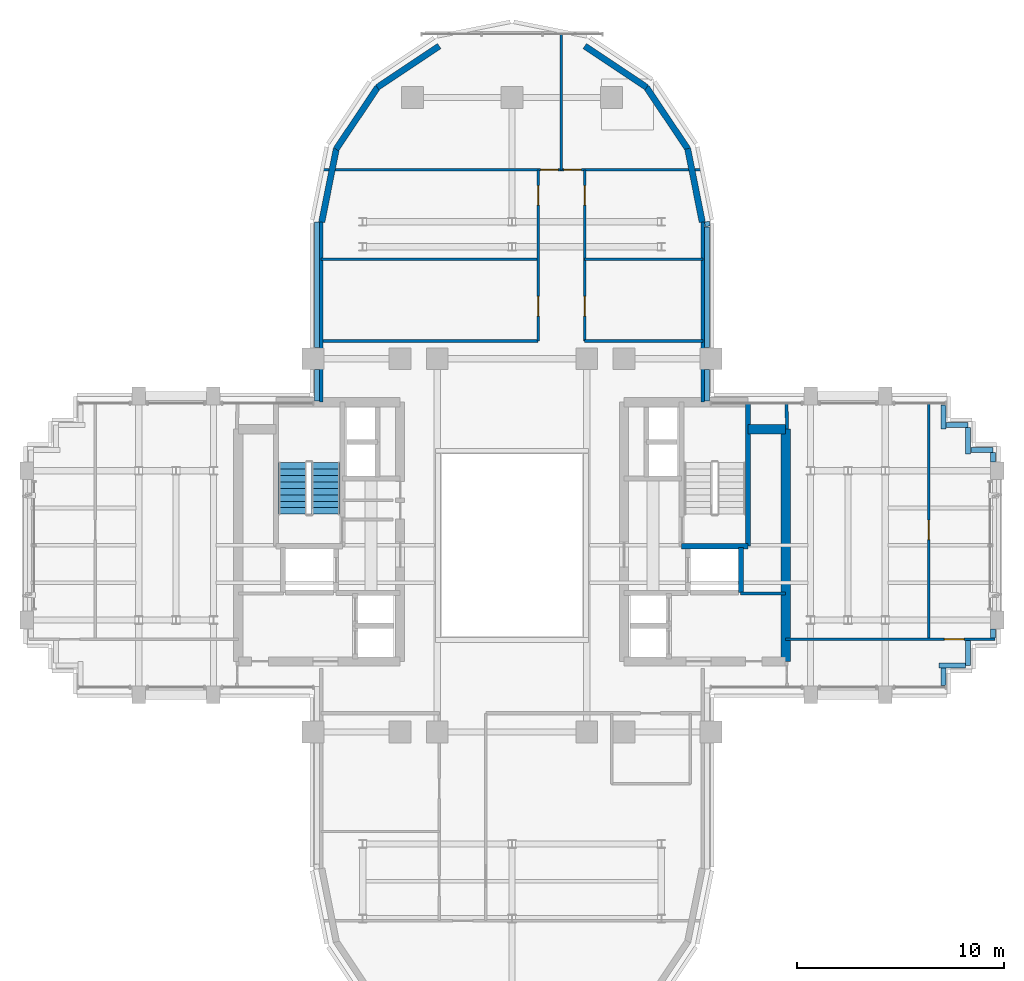
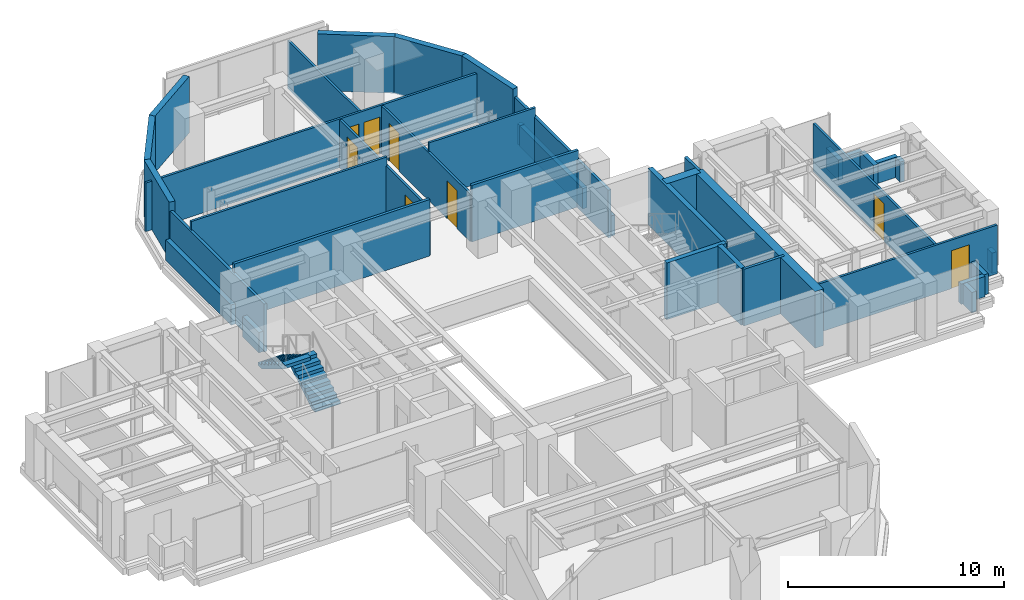
# One storey, part 10 of 14: 39 walls, 8 doors, 2 stair flights, 8 openings, 1 element without a shape of its own.
"""IFC4 building model written with IfcOpenShell, lengths in metres."""

from ifc_helpers import new_model, si_unit, direction, frame, frame_2d, origin, place, context, subcontext, project, spatial, polyline, rectangle, outline, extrude, source, transform, mapped, material, layer, layer_set, type_object, element, fill, aggregate, save


model = new_model("IFC4")

# Units and contexts
model_context = context("Model", 3, precision=1e-05, world=origin(), true_north=direction((0.0, 1.0)))
body_context = subcontext(model_context, "Body", "Model", "MODEL_VIEW")
ifc_project = project(units=[si_unit("LENGTHUNIT", "METRE"), si_unit("AREAUNIT", "SQUARE_METRE"), si_unit("VOLUMEUNIT", "CUBIC_METRE"), si_unit("PLANEANGLEUNIT", "RADIAN"), si_unit("MASSUNIT", "GRAM", prefix="KILO")], contexts=[model_context])

# Site, building, storey
site_placement = place(None, origin())
site = spatial("IfcSite", under=ifc_project, at=site_placement, CompositionType="ELEMENT")
building_placement = place(site_placement, origin())
building = spatial("IfcBuilding", under=site, at=building_placement, Name="Keilestroom Media Tower", CompositionType="ELEMENT")
storey_placement = place(building_placement, frame((0.0, 0.0, 114.199951171875)))
storey = spatial("IfcBuildingStorey", under=building, at=storey_placement, Name="L30", CompositionType="ELEMENT", Elevation=114.199951171875)

# Walls
ifc_material_1 = material(Name="Precast concrete C40/50", Category="concrete")
ifc_layer_1 = layer(ifc_material_1, 0.300048828125)
ifc_layer_set_1 = layer_set([ifc_layer_1], Name="Precast concrete C40/50")
wall_type_1 = type_object("IfcWallType", Name="Exterior-Masonry-Spandrel-Wall-300", PredefinedType="SOLIDWALL", material=ifc_layer_set_1)
for number, where, z_axis, x_axis, name in (
    (1, (9.1748046875, 15.585205078125, 0.0), (0.0, 0.0, 1.0), (-0.195114232679, 0.980780523974, 0.0), "L30 Lobe Facet Precast Frame Wall 01"),
    (2, (8.48193359375, 19.097412109375, 0.0), (0.0, 0.0, 1.0), (-0.555574187116, 0.831466970246, 0.0), "L30 Lobe Facet Precast Frame Wall 02"),
):
    element("IfcWall", number, at=place(storey_placement, frame(where, z_axis=z_axis, x_axis=x_axis)), inside=storey, type_object=wall_type_1, Name=name, PredefinedType="SOLIDWALL", context=body_context, shape_type="SweptSolid", body=[
        extrude(rectangle(XDim=3.608642578125, YDim=0.300048828125, at=frame_2d((1.80419921875, 0.0))), origin(), (0.0, 0.0, 1.0), 3.199951171875),
    ])
for number, where, z_axis, x_axis, name in (
    (3, (6.497802734375, 22.0771484375, 0.0), (0.0, 0.0, 1.0), (-0.8314749531, 0.555562239868, 0.0), "L30 Lobe Facet Precast Frame Wall 03"),
    (4, (-3.510009765625, 24.073486328125, 0.0), (0.0, 0.0, 1.0), (-0.8314749531, -0.555562239868, 0.0), "L30 Lobe Facet Precast Frame Wall 04"),
):
    element("IfcWall", number, at=place(storey_placement, frame(where, z_axis=z_axis, x_axis=x_axis)), inside=storey, type_object=wall_type_1, Name=name, PredefinedType="SOLIDWALL", context=body_context, shape_type="SweptSolid", body=[
        extrude(rectangle(XDim=3.59326171875, YDim=0.300048828125, at=frame_2d((1.796630859375, 0.0))), origin(), (0.0, 0.0, 1.0), 3.199951171875),
    ])
for number, where, z_axis, x_axis, name in (
    (5, (-6.47705078125, 22.097900390625, 0.0), (0.0, 0.0, 1.0), (-0.555574187116, -0.831466970246, 0.0), "L30 Lobe Facet Precast Frame Wall 05"),
    (6, (-8.470703125, 19.12451171875, 0.0), (0.0, 0.0, 1.0), (-0.195114232679, -0.980780523974, 0.0), "L30 Lobe Facet Precast Frame Wall 06"),
):
    element("IfcWall", number, at=place(storey_placement, frame(where, z_axis=z_axis, x_axis=x_axis)), inside=storey, type_object=wall_type_1, Name=name, PredefinedType="SOLIDWALL", context=body_context, shape_type="SweptSolid", body=[
        extrude(rectangle(XDim=3.608642578125, YDim=0.300048828125, at=frame_2d((1.80419921875, 0.0))), origin(), (0.0, 0.0, 1.0), 3.199951171875),
    ])

# Wall, openings, doors
ifc_material_2 = material(Name="Gypsum Plasterboard & Steel Stud", Category="steel")
ifc_layer_2 = layer(ifc_material_2, 0.1201171875)
ifc_layer_set_2 = layer_set([ifc_layer_2], Name="Gypsum Plasterboard & Steel Stud")
wall_type_2 = type_object("IfcWallType", Name="Interior-Partition-Wall-120", PredefinedType="PARTITIONING", material=ifc_layer_set_2)
wall_1_placement = place(storey_placement, frame((1.260009765625, 9.85009765625, 0.0), z_axis=(0.0, 0.0, 1.0), x_axis=(0.0, 1.0, 0.0)))
wall_1 = element("IfcWall", 7, at=wall_1_placement, inside=storey, type_object=wall_type_2, Name="L30 Interior Wall WP-L30-NL-SPW", PredefinedType="PARTITIONING", context=body_context, shape_type="SweptSolid", body=[
    extrude(rectangle(XDim=8.25, YDim=0.1201171875, at=frame_2d((4.125, 0.0))), origin(), (0.0, 0.0, 1.0), 2.699951171875),
])
opening_1_placement = place(wall_1_placement, frame((1.199951171875, 0.0, 0.0)))
opening_1 = element("IfcOpeningElement", 8, at=opening_1_placement, cuts=wall_1, Name="Opening DI-03", PredefinedType="OPENING", context=body_context, shape_type="SweptSolid", body=[
    extrude(rectangle(XDim=0.949951171875, YDim=2.14990234375, at=frame_2d((0.47509765625, 1.074951171875))), frame((0.0, 0.070068359375, 0.0), z_axis=(0.0, -1.0, 0.0), x_axis=(1.0, 0.0, 0.0)), (0.0, 0.0, 1.0), 0.14013671875),
])
opening_2_placement = place(wall_1_placement, frame((6.550048828125, 0.0, 0.0)))
opening_2 = element("IfcOpeningElement", 9, at=opening_2_placement, cuts=wall_1, Name="Opening DI-03", PredefinedType="OPENING", context=body_context, shape_type="SweptSolid", body=[
    extrude(rectangle(XDim=0.949951171875, YDim=2.14990234375, at=frame_2d((0.47509765625, 1.074951171875))), frame((0.0, 0.070068359375, 0.0), z_axis=(0.0, -1.0, 0.0), x_axis=(1.0, 0.0, 0.0)), (0.0, 0.0, 1.0), 0.14013671875),
])
ifc_material_3 = material(Name="Lacquered European Oak Leaf", Category="wood")
door_type_1 = type_object("IfcDoorType", Name="Interior-Room-And-Suite-Door-DI-03", OperationType="NOTDEFINED", PredefinedType="DOOR", material=ifc_material_3)
shared_shape_1 = source(origin(), body_context, "Body", "SweptSolid", [
    extrude(rectangle(XDim=0.949951171875, YDim=2.14990234375, at=frame_2d((0.47509765625, 1.074951171875))), frame((0.0, 0.02490234375, 0.0), z_axis=(0.0, -1.0, 0.0), x_axis=(1.0, 0.0, 0.0)), (0.0, 0.0, 1.0), 0.050048828125),
])
door_1_placement = place(opening_1_placement, origin())
door_1 = element("IfcDoor", 10, at=door_1_placement, inside=storey, type_object=door_type_1, Name="L30 Interior Door DI-L30-DNL-W1", OperationType="SINGLE_SWING_RIGHT", OverallHeight=2.14990234375, OverallWidth=0.949951171875, PredefinedType="DOOR", context=body_context, shape_type="MappedRepresentation", body=[
    mapped(shared_shape_1, transform((0.0, 0.0, 0.0), x_axis=(1.0, 0.0, 0.0), y_axis=(0.0, 1.0, 0.0), z_axis=(0.0, 0.0, 1.0), scale=1.0)),
])
fill(opening_1, door_1)
door_2_placement = place(opening_2_placement, origin())
door_2 = element("IfcDoor", 11, at=door_2_placement, inside=storey, type_object=door_type_1, Name="L30 Interior Door DI-L30-DNL-W2", OperationType="SINGLE_SWING_LEFT", OverallHeight=2.14990234375, OverallWidth=0.949951171875, PredefinedType="DOOR", context=body_context, shape_type="MappedRepresentation", body=[
    mapped(shared_shape_1, transform((0.0, 0.0, 0.0), x_axis=(1.0, 0.0, 0.0), y_axis=(0.0, 1.0, 0.0), z_axis=(0.0, 0.0, 1.0), scale=1.0)),
])
fill(opening_2, door_2)

wall_2_placement = place(storey_placement, frame((3.5, 9.85009765625, 0.0), z_axis=(0.0, 0.0, 1.0), x_axis=(0.0, 1.0, 0.0)))
wall_2 = element("IfcWall", 12, at=wall_2_placement, inside=storey, type_object=wall_type_2, Name="L30 Interior Wall WP-L30-NL-SPE", PredefinedType="PARTITIONING", context=body_context, shape_type="SweptSolid", body=[
    extrude(rectangle(XDim=8.25, YDim=0.1201171875, at=frame_2d((4.125, 0.0))), origin(), (0.0, 0.0, 1.0), 2.699951171875),
])
opening_3_placement = place(wall_2_placement, frame((1.199951171875, 0.0, 0.0)))
opening_3 = element("IfcOpeningElement", 13, at=opening_3_placement, cuts=wall_2, Name="Opening DI-03", PredefinedType="OPENING", context=body_context, shape_type="SweptSolid", body=[
    extrude(rectangle(XDim=0.949951171875, YDim=2.14990234375, at=frame_2d((0.47509765625, 1.074951171875))), frame((0.0, 0.070068359375, 0.0), z_axis=(0.0, -1.0, 0.0), x_axis=(1.0, 0.0, 0.0)), (0.0, 0.0, 1.0), 0.14013671875),
])
opening_4_placement = place(wall_2_placement, frame((6.550048828125, 0.0, 0.0)))
opening_4 = element("IfcOpeningElement", 14, at=opening_4_placement, cuts=wall_2, Name="Opening DI-03", PredefinedType="OPENING", context=body_context, shape_type="SweptSolid", body=[
    extrude(rectangle(XDim=0.949951171875, YDim=2.14990234375, at=frame_2d((0.47509765625, 1.074951171875))), frame((0.0, 0.070068359375, 0.0), z_axis=(0.0, -1.0, 0.0), x_axis=(1.0, 0.0, 0.0)), (0.0, 0.0, 1.0), 0.14013671875),
])
door_3_placement = place(opening_3_placement, origin())
door_3 = element("IfcDoor", 15, at=door_3_placement, inside=storey, type_object=door_type_1, Name="L30 Interior Door DI-L30-DNL-E1", OperationType="SINGLE_SWING_RIGHT", OverallHeight=2.14990234375, OverallWidth=0.949951171875, PredefinedType="DOOR", context=body_context, shape_type="MappedRepresentation", body=[
    mapped(shared_shape_1, transform((0.0, 0.0, 0.0), x_axis=(1.0, 0.0, 0.0), y_axis=(0.0, 1.0, 0.0), z_axis=(0.0, 0.0, 1.0), scale=1.0)),
])
fill(opening_3, door_3)
door_4_placement = place(opening_4_placement, origin())
door_4 = element("IfcDoor", 16, at=door_4_placement, inside=storey, type_object=door_type_1, Name="L30 Interior Door DI-L30-DNL-E2", OperationType="SINGLE_SWING_LEFT", OverallHeight=2.14990234375, OverallWidth=0.949951171875, PredefinedType="DOOR", context=body_context, shape_type="MappedRepresentation", body=[
    mapped(shared_shape_1, transform((0.0, 0.0, 0.0), x_axis=(1.0, 0.0, 0.0), y_axis=(0.0, 1.0, 0.0), z_axis=(0.0, 0.0, 1.0), scale=1.0)),
])
fill(opening_4, door_4)

wall_3_placement = place(storey_placement, frame((-9.159912109375, 18.10009765625, 0.0), z_axis=(0.0, 0.0, 1.0), x_axis=(1.0, 0.0, 0.0)))
wall_3 = element("IfcWall", 17, at=wall_3_placement, inside=storey, type_object=wall_type_2, Name="L30 Interior Wall WP-L30-NL-NTIPW", PredefinedType="PARTITIONING", context=body_context, shape_type="SweptSolid", body=[
    extrude(rectangle(XDim=18.31982421875, YDim=0.1201171875, at=frame_2d((9.159912109375, 0.0))), origin(), (0.0, 0.0, 1.0), 2.75),
])
opening_5_placement = place(wall_3_placement, frame((10.5400390625, 0.0, 0.0)))
opening_5 = element("IfcOpeningElement", 18, at=opening_5_placement, cuts=wall_3, Name="Opening DI-05", PredefinedType="OPENING", context=body_context, shape_type="SweptSolid", body=[
    extrude(rectangle(XDim=0.85009765625, YDim=2.10009765625, at=frame_2d((0.425048828125, 1.050048828125))), frame((0.0, 0.070068359375, 0.0), z_axis=(0.0, -1.0, 0.0), x_axis=(1.0, 0.0, 0.0)), (0.0, 0.0, 1.0), 0.14013671875),
])
opening_6_placement = place(wall_3_placement, frame((11.659912109375, 0.0, 0.0)))
opening_6 = element("IfcOpeningElement", 19, at=opening_6_placement, cuts=wall_3, Name="Opening DI-05", PredefinedType="OPENING", context=body_context, shape_type="SweptSolid", body=[
    extrude(rectangle(XDim=0.85009765625, YDim=2.10009765625, at=frame_2d((0.425048828125, 1.050048828125))), frame((0.0, 0.070068359375, 0.0), z_axis=(0.0, -1.0, 0.0), x_axis=(1.0, 0.0, 0.0)), (0.0, 0.0, 1.0), 0.14013671875),
])
ifc_material_4 = material(Name="Moisture-Resistant Oak Leaf", Category="wood")
door_type_2 = type_object("IfcDoorType", Name="Interior-En-Suite-And-Cupboard-Door-DI-05", OperationType="NOTDEFINED", PredefinedType="DOOR", material=ifc_material_4)
shared_shape_2 = source(origin(), body_context, "Body", "SweptSolid", [
    extrude(rectangle(XDim=0.85009765625, YDim=2.10009765625, at=frame_2d((0.425048828125, 1.050048828125))), frame((0.0, 0.02490234375, 0.0), z_axis=(0.0, -1.0, 0.0), x_axis=(1.0, 0.0, 0.0)), (0.0, 0.0, 1.0), 0.050048828125),
])
door_5_placement = place(opening_5_placement, origin())
door_5 = element("IfcDoor", 20, at=door_5_placement, inside=storey, type_object=door_type_2, Name="L30 Interior Door DI-L30-DNL-TIPW", OperationType="SINGLE_SWING_RIGHT", OverallHeight=2.10009765625, OverallWidth=0.85009765625, PredefinedType="DOOR", context=body_context, shape_type="MappedRepresentation", body=[
    mapped(shared_shape_2, transform((0.0, 0.0, 0.0), x_axis=(1.0, 0.0, 0.0), y_axis=(0.0, 1.0, 0.0), z_axis=(0.0, 0.0, 1.0), scale=1.0)),
])
fill(opening_5, door_5)
door_6_placement = place(opening_6_placement, origin())
door_6 = element("IfcDoor", 21, at=door_6_placement, inside=storey, type_object=door_type_2, Name="L30 Interior Door DI-L30-DNL-TIPE", OperationType="SINGLE_SWING_LEFT", OverallHeight=2.10009765625, OverallWidth=0.85009765625, PredefinedType="DOOR", context=body_context, shape_type="MappedRepresentation", body=[
    mapped(shared_shape_2, transform((0.0, 0.0, 0.0), x_axis=(1.0, 0.0, 0.0), y_axis=(0.0, 1.0, 0.0), z_axis=(0.0, 0.0, 1.0), scale=1.0)),
])
fill(opening_6, door_6)

# Walls
wall_4_placement = place(storey_placement, frame((2.3798828125, 18.10009765625, 0.0), z_axis=(0.0, 0.0, 1.0), x_axis=(0.0, 1.0, 0.0)))
element("IfcWall", 22, at=wall_4_placement, inside=storey, type_object=wall_type_2, Name="L30 Interior Wall WP-L30-NL-TIPM", PredefinedType="PARTITIONING", context=body_context, shape_type="SweptSolid", body=[
    extrude(rectangle(XDim=6.719970703125, YDim=0.1201171875, at=frame_2d((3.35986328125, 0.0))), origin(), (0.0, 0.0, 1.0), 2.699951171875),
])
wall_5_placement = place(storey_placement, frame((-9.199951171875, 13.800048828125, 0.0), z_axis=(0.0, 0.0, 1.0), x_axis=(1.0, 0.0, 0.0)))
element("IfcWall", 23, at=wall_5_placement, inside=storey, type_object=wall_type_2, Name="L30 Interior Wall WP-L30-NL-HWM", PredefinedType="PARTITIONING", context=body_context, shape_type="SweptSolid", body=[
    extrude(rectangle(XDim=10.4599609375, YDim=0.1201171875, at=frame_2d((5.22998046875, 0.0))), origin(), (0.0, 0.0, 1.0), 3.199951171875),
])
wall_6_placement = place(storey_placement, frame((3.5, 13.800048828125, 0.0), z_axis=(0.0, 0.0, 1.0), x_axis=(1.0, 0.0, 0.0)))
element("IfcWall", 24, at=wall_6_placement, inside=storey, type_object=wall_type_2, Name="L30 Interior Wall WP-L30-NL-HEM", PredefinedType="PARTITIONING", context=body_context, shape_type="SweptSolid", body=[
    extrude(rectangle(XDim=5.699951171875, YDim=0.1201171875, at=frame_2d((2.85009765625, 0.0))), origin(), (0.0, 0.0, 1.0), 3.199951171875),
])

# Wall, opening, door
wall_7_placement = place(storey_placement, frame((13.199951171875, -4.530029296875, 0.0), z_axis=(0.0, 0.0, 1.0), x_axis=(1.0, 0.0, 0.0)))
wall_7 = element("IfcWall", 25, at=wall_7_placement, inside=storey, type_object=wall_type_2, Name="L30 Interior Wall WP-L30-EA-CN", PredefinedType="PARTITIONING", context=body_context, shape_type="SweptSolid", body=[
    extrude(rectangle(XDim=10.10009765625, YDim=0.1201171875, at=frame_2d((5.050048828125, 0.0))), origin(), (0.0, 0.0, 1.0), 2.75),
])
opening_7_placement = place(wall_7_placement, frame((7.64990234375, 0.0, 0.0)))
opening_7 = element("IfcOpeningElement", 26, at=opening_7_placement, cuts=wall_7, Name="Opening DI-03", PredefinedType="OPENING", context=body_context, shape_type="SweptSolid", body=[
    extrude(rectangle(XDim=0.949951171875, YDim=2.14990234375, at=frame_2d((0.47509765625, 1.074951171875))), frame((0.0, 0.070068359375, 0.0), z_axis=(0.0, -1.0, 0.0), x_axis=(1.0, 0.0, 0.0)), (0.0, 0.0, 1.0), 0.14013671875),
])
door_7_placement = place(opening_7_placement, origin())
door_7 = element("IfcDoor", 27, at=door_7_placement, inside=storey, type_object=door_type_1, Name="L30 Interior Door DI-L30-DEA-RN2", OperationType="SINGLE_SWING_LEFT", OverallHeight=2.14990234375, OverallWidth=0.949951171875, PredefinedType="DOOR", context=body_context, shape_type="MappedRepresentation", body=[
    mapped(shared_shape_1, transform((0.0, 0.0, 0.0), x_axis=(1.0, 0.0, 0.0), y_axis=(0.0, 1.0, 0.0), z_axis=(0.0, 0.0, 1.0), scale=1.0)),
])
fill(opening_7, door_7)

wall_8_placement = place(storey_placement, frame((20.10009765625, -4.530029296875, 0.0), z_axis=(0.0, 0.0, 1.0), x_axis=(0.0, 1.0, 0.0)))
wall_8 = element("IfcWall", 28, at=wall_8_placement, inside=storey, type_object=wall_type_2, Name="L30 Interior Wall WP-L30-EA-VM", PredefinedType="PARTITIONING", context=body_context, shape_type="SweptSolid", body=[
    extrude(rectangle(XDim=11.380126953125, YDim=0.1201171875, at=frame_2d((5.68994140625, 0.0))), origin(), (0.0, 0.0, 1.0), 2.699951171875),
])
opening_8_placement = place(wall_8_placement, frame((4.800048828125, 0.0, 0.0)))
opening_8 = element("IfcOpeningElement", 29, at=opening_8_placement, cuts=wall_8, Name="Opening DI-03", PredefinedType="OPENING", context=body_context, shape_type="SweptSolid", body=[
    extrude(rectangle(XDim=0.949951171875, YDim=2.14990234375, at=frame_2d((0.47509765625, 1.074951171875))), frame((0.0, 0.070068359375, 0.0), z_axis=(0.0, -1.0, 0.0), x_axis=(1.0, 0.0, 0.0)), (0.0, 0.0, 1.0), 0.14013671875),
])
door_8_placement = place(opening_8_placement, origin())
door_8 = element("IfcDoor", 30, at=door_8_placement, inside=storey, type_object=door_type_1, Name="L30 Interior Door DI-L30-DEA-RN1", OperationType="SINGLE_SWING_RIGHT", OverallHeight=2.14990234375, OverallWidth=0.949951171875, PredefinedType="DOOR", context=body_context, shape_type="MappedRepresentation", body=[
    mapped(shared_shape_1, transform((0.0, 0.0, 0.0), x_axis=(1.0, 0.0, 0.0), y_axis=(0.0, 1.0, 0.0), z_axis=(0.0, 0.0, 1.0), scale=1.0)),
])
fill(opening_8, door_8)

# Walls
ifc_layer_3 = layer(ifc_material_2, 0.14990234375)
ifc_layer_set_3 = layer_set([ifc_layer_3], Name="Gypsum Plasterboard & Steel Stud")
wall_type_3 = type_object("IfcWallType", Name="Interior-Partition-Wall-150", PredefinedType="PARTITIONING", material=ifc_layer_set_3)
wall_9_placement = place(storey_placement, frame((11.02001953125, -2.320068359375, 0.0), z_axis=(0.0, 0.0, 1.0), x_axis=(1.0, 0.0, 0.0)))
element("IfcWall", 31, at=wall_9_placement, inside=storey, type_object=wall_type_3, Name="L30 Interior Wall WP-L30-RECLE-N", PredefinedType="PARTITIONING", context=body_context, shape_type="SweptSolid", body=[
    extrude(rectangle(XDim=2.179931640625, YDim=0.14990234375, at=frame_2d((1.08984375, 0.0))), origin(), (0.0, 0.0, 1.0), 3.199951171875),
])
for number, where, z_axis, x_axis, name in (
    (32, (-9.199951171875, 6.89990234375, 0.0), (0.0, 0.0, 1.0), (0.0, 1.0, 0.0), "L30 Interior Wall WP-L30-NL-CHKW"),
    (33, (9.199951171875, 6.89990234375, 0.0), (0.0, 0.0, 1.0), (0.0, 1.0, 0.0), "L30 Interior Wall WP-L30-NL-CHKE"),
):
    element("IfcWall", number, at=place(storey_placement, frame(where, z_axis=z_axis, x_axis=x_axis)), inside=storey, type_object=wall_type_3, Name=name, PredefinedType="PARTITIONING", context=body_context, shape_type="SweptSolid", body=[
        extrude(rectangle(XDim=8.780029296875, YDim=0.14990234375, at=frame_2d((4.39013671875, 0.0))), origin(), (0.0, 0.0, 1.0), 2.699951171875),
    ])
wall_10_placement = place(storey_placement, frame((-9.199951171875, 9.85009765625, 0.0), z_axis=(0.0, 0.0, 1.0), x_axis=(1.0, 0.0, 0.0)))
element("IfcWall", 34, at=wall_10_placement, inside=storey, type_object=wall_type_3, Name="L30 Interior Wall WP-L30-NL-BASE-W", PredefinedType="PARTITIONING", context=body_context, shape_type="SweptSolid", body=[
    extrude(rectangle(XDim=10.4599609375, YDim=0.14990234375, at=frame_2d((5.22998046875, 0.0))), origin(), (0.0, 0.0, 1.0), 3.199951171875),
])
wall_11_placement = place(storey_placement, frame((3.5, 9.85009765625, 0.0), z_axis=(0.0, 0.0, 1.0), x_axis=(1.0, 0.0, 0.0)))
element("IfcWall", 35, at=wall_11_placement, inside=storey, type_object=wall_type_3, Name="L30 Interior Wall WP-L30-NL-BASE-E", PredefinedType="PARTITIONING", context=body_context, shape_type="SweptSolid", body=[
    extrude(rectangle(XDim=5.699951171875, YDim=0.14990234375, at=frame_2d((2.85009765625, 0.0))), origin(), (0.0, 0.0, 1.0), 3.199951171875),
])
wall_12_placement = place(storey_placement, frame((13.260009765625, 5.60009765625, 0.0), z_axis=(0.0, 0.0, 1.0), x_axis=(-0.016013571389, 0.999871774545, 0.0)))
element("IfcWall", 36, at=wall_12_placement, inside=storey, type_object=wall_type_3, Name="L30 Interior Wall WP-L30-EA-ENTN", PredefinedType="PARTITIONING", context=body_context, shape_type="SweptSolid", body=[
    extrude(rectangle(XDim=1.250244140625, YDim=0.14990234375, at=frame_2d((0.625, 0.0))), origin(), (0.0, 0.0, 1.0), 3.199951171875),
])
ifc_material_5 = material(Name="Concrete C55/67", Category="concrete")
ifc_layer_4 = layer(ifc_material_5, 0.449951171875)
ifc_layer_set_4 = layer_set([ifc_layer_4], Name="Concrete C55/67")
wall_type_4 = type_object("IfcWallType", Name="Reinforced-Concrete-Core-Shear-Wall-450", PredefinedType="SHEAR", material=ifc_layer_set_4)
wall_13_placement = place(storey_placement, frame((13.199951171875, -5.60009765625, 0.0), z_axis=(0.0, 0.0, 1.0), x_axis=(0.0, 1.0, 0.0)))
element("IfcWall", 37, at=wall_13_placement, inside=storey, type_object=wall_type_4, Name="L30 Core Shear Wall WL-L30-CORE-E-OUT", PredefinedType="SHEAR", context=body_context, shape_type="SweptSolid", body=[
    extrude(rectangle(XDim=11.2001953125, YDim=0.449951171875, at=frame_2d((5.60009765625, 0.0))), origin(), (0.0, 0.0, 1.0), 3.199951171875),
])
wall_14_placement = place(storey_placement, frame((11.381103515625, 5.60009765625, 0.0), z_axis=(0.0, 0.0, 1.0), x_axis=(1.0, 0.0, 0.0)))
element("IfcWall", 38, at=wall_14_placement, inside=storey, type_object=wall_type_4, Name="L30 Core Shear Wall WL-L30-CNE-N", PredefinedType="SHEAR", context=body_context, shape_type="SweptSolid", body=[
    extrude(rectangle(XDim=1.81884765625, YDim=0.449951171875, at=frame_2d((0.909423828125, 0.0))), origin(), (0.0, 0.0, 1.0), 3.199951171875),
])
ifc_material_6 = material(Name="Concrete C50/60", Category="concrete")
ifc_layer_5 = layer(ifc_material_6, 0.25)
ifc_layer_set_5 = layer_set([ifc_layer_5], Name="Concrete C50/60")
wall_type_5 = type_object("IfcWallType", Name="Reinforced-Concrete-Shaft-Wall-250", PredefinedType="SOLIDWALL", material=ifc_layer_set_5)
wall_15_placement = place(storey_placement, frame((11.381103515625, -0.041015625, 0.0), z_axis=(0.0, 0.0, 1.0), x_axis=(0.0, 1.0, 0.0)))
element("IfcWall", 39, at=wall_15_placement, inside=storey, type_object=wall_type_5, Name="L30 Core Shear Wall WL-L30-STW-E-FAR", PredefinedType="SOLIDWALL", context=body_context, shape_type="SweptSolid", body=[
    extrude(rectangle(XDim=6.94091796875, YDim=0.25, at=frame_2d((3.470458984375, 0.0))), origin(), (0.0, 0.0, 1.0), 3.199951171875),
])
wall_16_placement = place(storey_placement, frame((8.178955078125, -0.041015625, 0.0), z_axis=(0.0, 0.0, 1.0), x_axis=(1.0, 0.0, 0.0)))
element("IfcWall", 40, at=wall_16_placement, inside=storey, type_object=wall_type_5, Name="L30 Core Shear Wall WL-L30-STW-E-S", PredefinedType="SOLIDWALL", context=body_context, shape_type="SweptSolid", body=[
    extrude(rectangle(XDim=3.2021484375, YDim=0.25, at=frame_2d((1.60107421875, 0.0))), origin(), (0.0, 0.0, 1.0), 3.199951171875),
])
wall_17_placement = place(storey_placement, frame((11.050048828125, -2.280029296875, 0.0), z_axis=(0.0, 0.0, 1.0), x_axis=(0.0, 1.0, 0.0)))
element("IfcWall", 41, at=wall_17_placement, inside=storey, type_object=wall_type_5, Name="L30 Core Shear Wall WL-L30-LSH-FFL-2-E", PredefinedType="SOLIDWALL", context=body_context, shape_type="SweptSolid", body=[
    extrude(rectangle(XDim=2.179931640625, YDim=0.25, at=frame_2d((1.08984375, 0.0))), origin(), (0.0, 0.0, 1.0), 3.199951171875),
])
ifc_layer_6 = layer(ifc_material_1, 0.239990234375)
ifc_layer_set_6 = layer_set([ifc_layer_6], Name="Precast concrete C40/50")
wall_type_6 = type_object("IfcWallType", Name="Roof-And-Terrace-Parapet-Wall-240", PredefinedType="PARAPET", material=ifc_layer_set_6)
wall_18_placement = place(storey_placement, frame((22.0, -4.593017578125, 0.0), z_axis=(0.0, 0.0, 1.0), x_axis=(0.0, -1.0, 0.0)))
element("IfcWall", 42, at=wall_18_placement, inside=storey, type_object=wall_type_6, Name="L30 Perimeter Edge Parapet Wall 01", PredefinedType="PARAPET", context=body_context, shape_type="SweptSolid", body=[
    extrude(rectangle(XDim=1.20703125, YDim=0.239990234375, at=frame_2d((0.603515625, 0.0))), origin(), (0.0, 0.0, 1.0), 1.150146484375),
])
wall_19_placement = place(storey_placement, frame((21.876953125, -5.800048828125, 0.0), z_axis=(0.0, 0.0, 1.0), x_axis=(-1.0, 0.0, 0.0)))
element("IfcWall", 43, at=wall_19_placement, inside=storey, type_object=wall_type_6, Name="L30 Perimeter Edge Parapet Wall 02", PredefinedType="PARAPET", context=body_context, shape_type="SweptSolid", body=[
    extrude(rectangle(XDim=1.27685546875, YDim=0.239990234375, at=frame_2d((0.638427734375, 0.0))), origin(), (0.0, 0.0, 1.0), 1.150146484375),
])
wall_20_placement = place(storey_placement, frame((20.800048828125, -5.923095703125, 0.0), z_axis=(0.0, 0.0, 1.0), x_axis=(0.0, -1.0, 0.0)))
element("IfcWall", 44, at=wall_20_placement, inside=storey, type_object=wall_type_6, Name="L30 Perimeter Edge Parapet Wall 03", PredefinedType="PARAPET", context=body_context, shape_type="SweptSolid", body=[
    extrude(rectangle(XDim=0.833984375, YDim=0.239990234375, at=frame_2d((0.4169921875, 0.0))), origin(), (0.0, 0.0, 1.0), 1.150146484375),
])
wall_21_placement = place(storey_placement, frame((-9.39990234375, 6.952880859375, 0.0), z_axis=(0.0, 0.0, 1.0), x_axis=(0.0, 1.0, 0.0)))
element("IfcWall", 45, at=wall_21_placement, inside=storey, type_object=wall_type_6, Name="L30 Perimeter Edge Parapet Wall 19", PredefinedType="PARAPET", context=body_context, shape_type="SweptSolid", body=[
    extrude(rectangle(XDim=1.51904296875, YDim=0.239990234375, at=frame_2d((0.759521484375, 0.0))), origin(), (0.0, 0.0, 1.0), 1.150146484375),
])
wall_22_placement = place(storey_placement, frame((-9.39990234375, 9.528076171875, 0.0), z_axis=(0.0, 0.0, 1.0), x_axis=(0.0, 1.0, 0.0)))
element("IfcWall", 46, at=wall_22_placement, inside=storey, type_object=wall_type_6, Name="L30 Perimeter Edge Parapet Wall 20", PredefinedType="PARAPET", context=body_context, shape_type="SweptSolid", body=[
    extrude(rectangle(XDim=6.07470703125, YDim=0.239990234375, at=frame_2d((3.037353515625, 0.0))), origin(), (0.0, 0.0, 1.0), 1.150146484375),
])
wall_23_placement = place(storey_placement, frame((9.395263671875, 15.604248046875, 0.0), z_axis=(0.0, 0.0, 1.0), x_axis=(0.194652052864, -0.980872355771, 0.0)))
element("IfcWall", 47, at=wall_23_placement, inside=storey, type_object=wall_type_6, Name="L30 Perimeter Edge Parapet Wall 21", PredefinedType="PARAPET", context=body_context, shape_type="SweptSolid", body=[
    extrude(rectangle(XDim=0.224609375, YDim=0.239990234375, at=frame_2d((0.1123046875, 0.0))), origin(), (0.0, 0.0, 1.0), 1.150146484375),
])
wall_24_placement = place(storey_placement, frame((9.39990234375, 15.357666015625, 0.0), z_axis=(0.0, 0.0, 1.0), x_axis=(0.0, -1.0, 0.0)))
element("IfcWall", 48, at=wall_24_placement, inside=storey, type_object=wall_type_6, Name="L30 Perimeter Edge Parapet Wall 22", PredefinedType="PARAPET", context=body_context, shape_type="SweptSolid", body=[
    extrude(rectangle(XDim=5.82958984375, YDim=0.239990234375, at=frame_2d((2.914794921875, 0.0))), origin(), (0.0, 0.0, 1.0), 1.150146484375),
])
wall_25_placement = place(storey_placement, frame((9.39990234375, 8.471923828125, 0.0), z_axis=(0.0, 0.0, 1.0), x_axis=(0.0, -1.0, 0.0)))
element("IfcWall", 49, at=wall_25_placement, inside=storey, type_object=wall_type_6, Name="L30 Perimeter Edge Parapet Wall 23", PredefinedType="PARAPET", context=body_context, shape_type="SweptSolid", body=[
    extrude(rectangle(XDim=1.51904296875, YDim=0.239990234375, at=frame_2d((0.759521484375, 0.0))), origin(), (0.0, 0.0, 1.0), 1.150146484375),
])
wall_26_placement = place(storey_placement, frame((20.800048828125, 6.757080078125, 0.0), z_axis=(0.0, 0.0, 1.0), x_axis=(0.0, -1.0, 0.0)))
element("IfcWall", 50, at=wall_26_placement, inside=storey, type_object=wall_type_6, Name="L30 Perimeter Edge Parapet Wall 24", PredefinedType="PARAPET", context=body_context, shape_type="SweptSolid", body=[
    extrude(rectangle(XDim=1.156982421875, YDim=0.239990234375, at=frame_2d((0.57861328125, 0.0))), origin(), (0.0, 0.0, 1.0), 1.150146484375),
])
wall_27_placement = place(storey_placement, frame((20.923095703125, 5.800048828125, 0.0), z_axis=(0.0, 0.0, 1.0), x_axis=(1.0, 0.0, 0.0)))
element("IfcWall", 51, at=wall_27_placement, inside=storey, type_object=wall_type_6, Name="L30 Perimeter Edge Parapet Wall 25", PredefinedType="PARAPET", context=body_context, shape_type="SweptSolid", body=[
    extrude(rectangle(XDim=1.076904296875, YDim=0.239990234375, at=frame_2d((0.53857421875, 0.0))), origin(), (0.0, 0.0, 1.0), 1.150146484375),
])
wall_28_placement = place(storey_placement, frame((22.0, 5.677001953125, 0.0), z_axis=(0.0, 0.0, 1.0), x_axis=(0.0, -1.0, 0.0)))
element("IfcWall", 52, at=wall_28_placement, inside=storey, type_object=wall_type_6, Name="L30 Perimeter Edge Parapet Wall 26", PredefinedType="PARAPET", context=body_context, shape_type="SweptSolid", body=[
    extrude(rectangle(XDim=1.277099609375, YDim=0.239990234375, at=frame_2d((0.638671875, 0.0))), origin(), (0.0, 0.0, 1.0), 1.150146484375),
])
wall_29_placement = place(storey_placement, frame((22.123046875, 4.60009765625, 0.0), z_axis=(0.0, 0.0, 1.0), x_axis=(1.0, 0.0, 0.0)))
element("IfcWall", 53, at=wall_29_placement, inside=storey, type_object=wall_type_6, Name="L30 Perimeter Edge Parapet Wall 27", PredefinedType="PARAPET", context=body_context, shape_type="SweptSolid", body=[
    extrude(rectangle(XDim=1.076904296875, YDim=0.239990234375, at=frame_2d((0.53857421875, 0.0))), origin(), (0.0, 0.0, 1.0), 1.150146484375),
])
wall_30_placement = place(storey_placement, frame((23.199951171875, 4.47705078125, 0.0), z_axis=(0.0, 0.0, 1.0), x_axis=(0.0, -1.0, 0.0)))
element("IfcWall", 54, at=wall_30_placement, inside=storey, type_object=wall_type_6, Name="L30 Perimeter Edge Parapet Wall 28", PredefinedType="PARAPET", context=body_context, shape_type="SweptSolid", body=[
    extrude(rectangle(XDim=0.448974609375, YDim=0.239990234375, at=frame_2d((0.224609375, 0.0))), origin(), (0.0, 0.0, 1.0), 1.150146484375),
])
wall_31_placement = place(storey_placement, frame((23.199951171875, -4.028076171875, 0.0), z_axis=(0.0, 0.0, 1.0), x_axis=(0.0, -1.0, 0.0)))
element("IfcWall", 55, at=wall_31_placement, inside=storey, type_object=wall_type_6, Name="L30 Perimeter Edge Parapet Wall 29", PredefinedType="PARAPET", context=body_context, shape_type="SweptSolid", body=[
    extrude(rectangle(XDim=0.43896484375, YDim=0.239990234375, at=frame_2d((0.219482421875, 0.0))), origin(), (0.0, 0.0, 1.0), 1.150146484375),
])

# Stair, stair flights
ifc_material_7 = material(Name="Concrete C45/55", Category="concrete")
stair_type = type_object("IfcStairType", Name="Enclosed-Dog-Leg-Stair-ST-CORE", PredefinedType="HALF_TURN_STAIR", material=ifc_material_7)
stair_placement = place(storey_placement, origin())
stair = element("IfcStair", 56, at=stair_placement, inside=storey, type_object=stair_type, Name="L30 West Core Escape Stair ST-1", PredefinedType="HALF_TURN_STAIR")
stair_flight_type = type_object("IfcStairFlightType", Name="Precast-Concrete-Stair-Flight-Core-160", PredefinedType="STRAIGHT", material=ifc_material_1)
stair_flight_1_placement = place(storey_placement, frame((-8.97998046875, 1.5, 0.0), z_axis=(0.0, 0.0, 1.0), x_axis=(0.0, 1.0, 0.0)))
stair_flight_1 = element("IfcStairFlight", 57, at=stair_flight_1_placement, type_object=stair_flight_type, Name="ST-1 flight 1", NumberOfRisers=9, NumberOfTreads=8, PredefinedType="STRAIGHT", RiserHeight=0.188888889, TreadLength=0.312, context=body_context, shape_type="SweptSolid", body=[
    extrude(outline(polyline([(0.0, 0.0), (0.0, 0.18896484375), (0.31201171875, 0.18896484375), (0.31201171875, 0.377685546875), (0.6240234375, 0.377685546875), (0.6240234375, 0.566650390625), (0.93603515625, 0.566650390625), (0.93603515625, 0.755615234375), (1.248046875, 0.755615234375), (1.248046875, 0.9443359375), (1.56005859375, 0.9443359375), (1.56005859375, 1.13330078125), (1.8720703125, 1.13330078125), (1.8720703125, 1.322265625), (2.18408203125, 1.322265625), (2.18408203125, 1.51123046875), (2.49609375, 1.51123046875), (2.49609375, 1.699951171875), (2.49609375, 1.32421875), (0.308837890625, 0.0), (0.0, 0.0)])), frame((0.0, 0.68017578125, 0.0), z_axis=(0.0, -1.0, 0.0), x_axis=(1.0, 0.0, 0.0)), (0.0, 0.0, 1.0), 1.360107421875),
])
stair_flight_2_placement = place(storey_placement, frame((-10.580078125, 3.99609375, 1.699951171875), z_axis=(0.0, 0.0, 1.0), x_axis=(0.0, -1.0, 0.0)))
stair_flight_2 = element("IfcStairFlight", 58, at=stair_flight_2_placement, type_object=stair_flight_type, Name="ST-1 flight 2", NumberOfRisers=9, NumberOfTreads=8, PredefinedType="STRAIGHT", RiserHeight=0.188888889, TreadLength=0.312, context=body_context, shape_type="SweptSolid", body=[
    extrude(outline(polyline([(0.0, 0.0), (0.0, 0.18896484375), (0.31201171875, 0.18896484375), (0.31201171875, 0.377685546875), (0.6240234375, 0.377685546875), (0.6240234375, 0.566650390625), (0.93603515625, 0.566650390625), (0.93603515625, 0.755615234375), (1.248046875, 0.755615234375), (1.248046875, 0.9443359375), (1.56005859375, 0.9443359375), (1.56005859375, 1.13330078125), (1.8720703125, 1.13330078125), (1.8720703125, 1.322265625), (2.18408203125, 1.322265625), (2.18408203125, 1.51123046875), (2.49609375, 1.51123046875), (2.49609375, 1.699951171875), (2.49609375, 1.32421875), (0.308837890625, 0.0), (0.0, 0.0)])), frame((0.0, 0.68017578125, 0.0), z_axis=(0.0, -1.0, 0.0), x_axis=(1.0, 0.0, 0.0)), (0.0, 0.0, 1.0), 1.360107421875),
])
aggregate(stair, [stair_flight_1, stair_flight_2])

save(model, "model.ifc")
